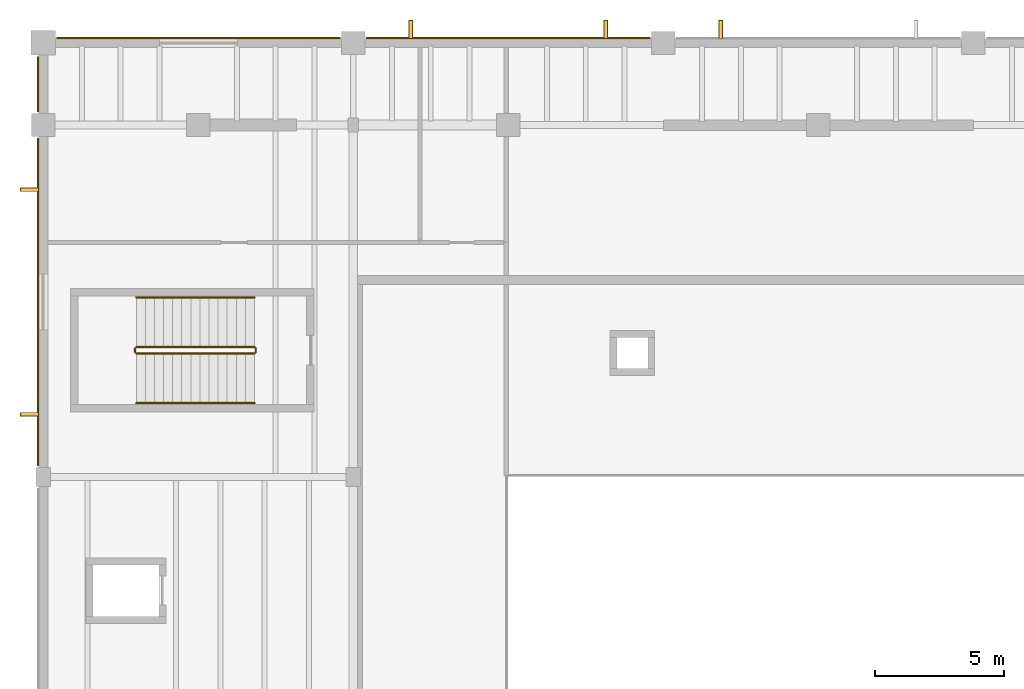
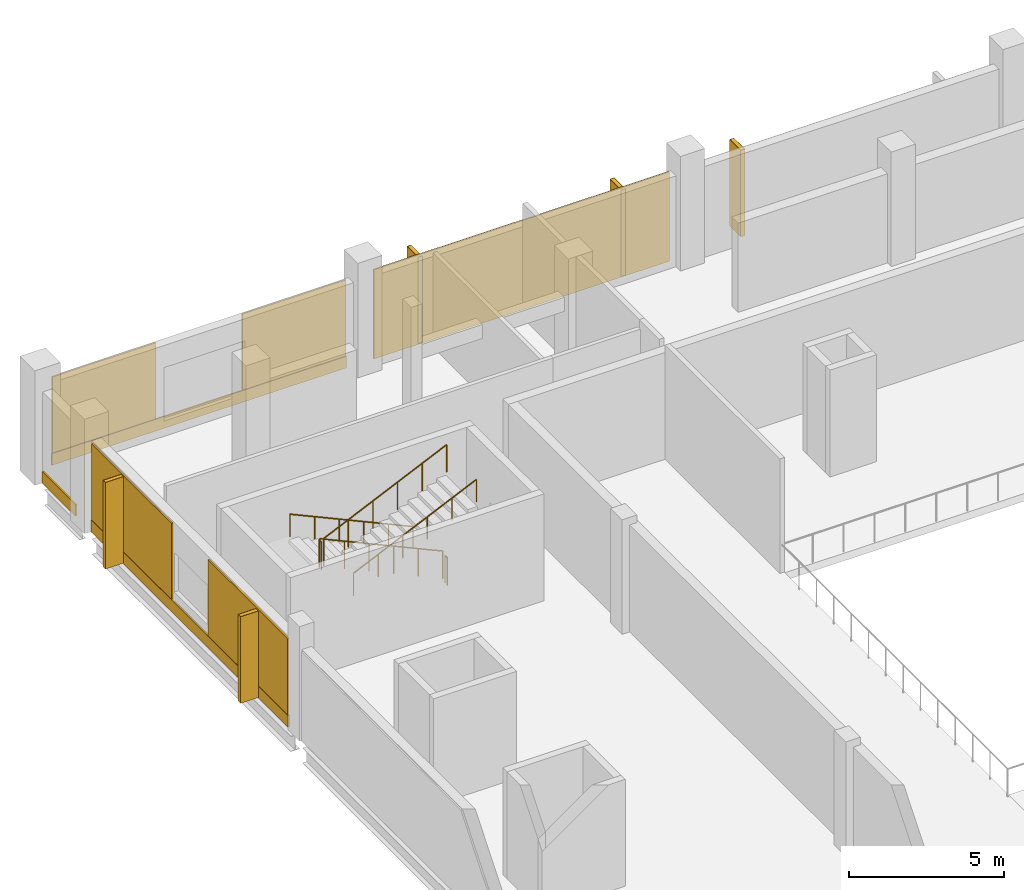
# One storey, part 71 of 78: 13 coverings, 6 railings, 5 shading devices.
"""IFC4 building model written with IfcOpenShell, lengths in metres."""

from ifc_helpers import new_model, si_unit, direction, frame, origin, origin_2d, place, context, subcontext, project, spatial, rectangle, circle, extrude, material, layer, layer_set, type_object, element, save


model = new_model("IFC4")

# Units and contexts
model_context = context("Model", 3, precision=1e-05, world=origin(), true_north=direction((0.0, 1.0)))
body_context = subcontext(model_context, "Body", "Model", "MODEL_VIEW")
ifc_project = project(units=[si_unit("LENGTHUNIT", "METRE"), si_unit("AREAUNIT", "SQUARE_METRE"), si_unit("VOLUMEUNIT", "CUBIC_METRE"), si_unit("PLANEANGLEUNIT", "RADIAN"), si_unit("MASSUNIT", "GRAM", prefix="KILO")], contexts=[model_context])

# Site, building, storey
site_placement = place(None, origin())
site = spatial("IfcSite", under=ifc_project, at=site_placement, CompositionType="ELEMENT")
building_placement = place(site_placement, origin())
building = spatial("IfcBuilding", under=site, at=building_placement, Name="Kelmvaro Bay Concert Hall", CompositionType="ELEMENT")
storey_placement = place(building_placement, frame((0.0, 0.0, 9.300048828125)))
storey = spatial("IfcBuildingStorey", under=building, at=storey_placement, Name="L02", CompositionType="ELEMENT", Elevation=9.300048828125)

# Shading devices
ifc_material_1 = material(Name="Anodised Extruded Aluminium 6063-T6", Category="aluminium")
ifc_layer_1 = layer(ifc_material_1, 3.39990234375)
ifc_layer_set_1 = layer_set([ifc_layer_1], Name="Anodised Extruded Aluminium 6063-T6")
shading_device_type = type_object("IfcShadingDeviceType", Name="Bauhaus Vertical Solar Brise-Soleil Fin 720x3400", PredefinedType="SHUTTER", material=ifc_layer_set_1)
for number, where, z_axis, x_axis, name in (
    (1, (14.22607421875, 114.52587890625, 0.06005859375), (0.0, 0.0, 1.0), (1.0, 0.0, 0.0), "L02 Solar Brise-Soleil Fin 013"),
    (2, (21.77392578125, 114.52587890625, 0.06005859375), (0.0, 0.0, 1.0), (1.0, 0.0, 0.0), "L02 Solar Brise-Soleil Fin 014"),
    (3, (26.22607421875, 114.52587890625, 0.06005859375), (0.0, 0.0, 1.0), (1.0, 0.0, 0.0), "L02 Solar Brise-Soleil Fin 015"),
    (4, (-0.535888671875, 99.622314453125, 0.06005859375), (0.0, 0.0, 1.0), (0.0, 1.0, 0.0), "L02 Solar Brise-Soleil Fin 021"),
    (5, (-0.535888671875, 108.32275390625, 0.06005859375), (0.0, 0.0, 1.0), (0.0, 1.0, 0.0), "L02 Solar Brise-Soleil Fin 022"),
):
    element("IfcShadingDevice", number, at=place(storey_placement, frame(where, z_axis=z_axis, x_axis=x_axis)), inside=storey, type_object=shading_device_type, Name=name, PredefinedType="SHUTTER", context=body_context, shape_type="SweptSolid", body=[
        extrude(rectangle(XDim=0.159912109375, YDim=0.719970703125, at=origin_2d()), origin(), (0.0, 0.0, 1.0), 3.39990234375),
    ])

# Coverings
ifc_material_2 = material(Name="PVDF-Coated Architectural Aluminium", Category="aluminium")
ifc_layer_2 = layer(ifc_material_2, 0.0400390625)
ifc_layer_set_2 = layer_set([ifc_layer_2], Name="PVDF-Coated Architectural Aluminium")
covering_type_1 = type_object("IfcCoveringType", Name="De Stijl Enamelled Aluminium Fascia Panel 40", PredefinedType="CLADDING", material=ifc_layer_set_2)
for number, where, z_axis, x_axis, name in (
    (6, (14.22607421875, 114.52587890625, 0.06005859375), (0.0, 0.0, 1.0), (1.0, 0.0, 0.0), "L02 Architectural Vertical Fin Cladding 0070"),
    (7, (21.77392578125, 114.52587890625, 0.06005859375), (0.0, 0.0, 1.0), (1.0, 0.0, 0.0), "L02 Architectural Vertical Fin Cladding 0071"),
    (8, (26.22607421875, 114.52587890625, 0.06005859375), (0.0, 0.0, 1.0), (1.0, 0.0, 0.0), "L02 Architectural Vertical Fin Cladding 0073"),
    (9, (-0.535888671875, 99.622314453125, 0.06005859375), (0.0, 0.0, 1.0), (0.0, 1.0, 0.0), "L02 Architectural Vertical Fin Cladding 0091"),
    (10, (-0.535888671875, 108.32275390625, 0.06005859375), (0.0, 0.0, 1.0), (0.0, 1.0, 0.0), "L02 Architectural Vertical Fin Cladding 0092"),
):
    element("IfcCovering", number, at=place(storey_placement, frame(where, z_axis=z_axis, x_axis=x_axis)), inside=storey, type_object=covering_type_1, Name=name, PredefinedType="CLADDING", context=body_context, shape_type="SweptSolid", body=[
        extrude(rectangle(XDim=0.139892578125, YDim=0.699951171875, at=origin_2d()), origin(), (0.0, 0.0, 1.0), 3.39990234375),
    ])
ifc_material_3 = material(Name="Honed Florida Limestone Travertine", Category="masonry")
ifc_layer_3 = layer(ifc_material_3, 0.054931640625)
ifc_layer_set_3 = layer_set([ifc_layer_3], Name="Honed Florida Limestone Travertine")
covering_type_2 = type_object("IfcCoveringType", Name="Honed Florida Travertine Rainscreen Cladding 55", PredefinedType="CLADDING", material=ifc_layer_set_3)
covering_1_placement = place(storey_placement, frame((6.012451171875, 114.195556640625, 0.0400390625), z_axis=(0.0, 0.0, 1.0), x_axis=(1.0, 0.0, 0.0)))
element("IfcCovering", 11, at=covering_1_placement, inside=storey, type_object=covering_type_2, Name="L02 Travertine Sill Band 0066", PredefinedType="CLADDING", context=body_context, shape_type="SweptSolid", body=[
    extrude(rectangle(XDim=10.955078125, YDim=0.054931640625, at=origin_2d()), origin(), (0.0, 0.0, 1.0), 0.4599609375),
])
for number, where, z_axis, x_axis, name in (
    (12, (2.48388671875, 114.195556640625, 0.52001953125), (0.0, 0.0, 1.0), (1.0, 0.0, 0.0), "L02 Travertine Pier Panel 0067"),
    (13, (9.541259765625, 114.195556640625, 0.52001953125), (0.0, 0.0, 1.0), (1.0, 0.0, 0.0), "L02 Travertine Pier Panel 0068"),
):
    element("IfcCovering", number, at=place(storey_placement, frame(where, z_axis=z_axis, x_axis=x_axis)), inside=storey, type_object=covering_type_2, Name=name, PredefinedType="CLADDING", context=body_context, shape_type="SweptSolid", body=[
        extrude(rectangle(XDim=3.85693359375, YDim=0.054931640625, at=origin_2d()), origin(), (0.0, 0.0, 1.0), 2.989013671875),
    ])
covering_2_placement = place(storey_placement, frame((18.0, 114.195556640625, 0.02978515625), z_axis=(0.0, 0.0, 1.0), x_axis=(1.0, 0.0, 0.0)))
element("IfcCovering", 14, at=covering_2_placement, inside=storey, type_object=covering_type_2, Name="L02 Travertine Cladding Panel 0069", PredefinedType="CLADDING", context=body_context, shape_type="SweptSolid", body=[
    extrude(rectangle(XDim=10.97998046875, YDim=0.054931640625, at=origin_2d()), origin(), (0.0, 0.0, 1.0), 3.509033203125),
])
covering_3_placement = place(storey_placement, frame((-0.20556640625, 103.972412109375, 0.0400390625), z_axis=(0.0, 0.0, 1.0), x_axis=(0.0, 1.0, 0.0)))
element("IfcCovering", 15, at=covering_3_placement, inside=storey, type_object=covering_type_2, Name="L02 Travertine Sill Band 0090", PredefinedType="CLADDING", context=body_context, shape_type="SweptSolid", body=[
    extrude(rectangle(XDim=12.675048828125, YDim=0.054931640625, at=origin_2d()), origin(), (0.0, 0.0, 1.0), 0.4599609375),
])
for number, where, z_axis, x_axis, name in (
    (16, (-0.20556640625, 100.226318359375, 0.52001953125), (0.0, 0.0, 1.0), (0.0, 1.0, 0.0), "L02 Travertine Pier Panel 0093"),
    (17, (-0.20556640625, 107.71875, 0.52001953125), (0.0, 0.0, 1.0), (0.0, 1.0, 0.0), "L02 Travertine Pier Panel 0094"),
):
    element("IfcCovering", number, at=place(storey_placement, frame(where, z_axis=z_axis, x_axis=x_axis)), inside=storey, type_object=covering_type_2, Name=name, PredefinedType="CLADDING", context=body_context, shape_type="SweptSolid", body=[
        extrude(rectangle(XDim=5.14306640625, YDim=0.054931640625, at=origin_2d()), origin(), (0.0, 0.0, 1.0), 2.989013671875),
    ])
covering_4_placement = place(storey_placement, frame((-0.20556640625, 112.3974609375, 0.0400390625), z_axis=(0.0, 0.0, 1.0), x_axis=(0.0, 1.0, 0.0)))
element("IfcCovering", 18, at=covering_4_placement, inside=storey, type_object=covering_type_2, Name="L02 Travertine Sill Band 0095", PredefinedType="CLADDING", context=body_context, shape_type="SweptSolid", body=[
    extrude(rectangle(XDim=2.135009765625, YDim=0.054931640625, at=origin_2d()), origin(), (0.0, 0.0, 1.0), 0.4599609375),
])

# Railings
ifc_material_4 = material(Name="Brushed Stainless Steel 316", Category="steel")
railing_type_1 = type_object("IfcRailingType", Name="Stair Stainless Wall Handrail 900", PredefinedType="HANDRAIL", material=ifc_material_4)
railing_1_placement = place(storey_placement, frame((8.179931640625, 104.14990234375, 0.16064453125)))
element("IfcRailing", 19, at=railing_1_placement, inside=storey, type_object=railing_type_1, Name="L02 ST-03 stair handrail 1", PredefinedType="HANDRAIL", context=body_context, shape_type="SweptSolid", body=[
    extrude(circle(Radius=0.02392578125, at=origin_2d()), frame((0.0, 0.0, 0.8759765625), z_axis=(-0.909662093554, 0.0, 0.415349100818), x_axis=(0.0, -1.0, 0.0)), (0.0, 0.0, 1.0), 5.0302734375),
    extrude(circle(Radius=0.02099609375, at=origin_2d()), origin(), (0.0, 0.0, 1.0), 0.851806640625),
    extrude(circle(Radius=0.02099609375, at=origin_2d()), frame((-0.915283203125, 0.0, 0.41796875)), (0.0, 0.0, 1.0), 0.851806640625),
    extrude(circle(Radius=0.02099609375, at=origin_2d()), frame((-1.830322265625, 0.0, 0.835693359375)), (0.0, 0.0, 1.0), 0.851806640625),
    extrude(circle(Radius=0.02099609375, at=origin_2d()), frame((-2.74560546875, 0.0, 1.253662109375)), (0.0, 0.0, 1.0), 0.851806640625),
    extrude(circle(Radius=0.02099609375, at=origin_2d()), frame((-3.66064453125, 0.0, 1.67138671875)), (0.0, 0.0, 1.0), 0.851806640625),
    extrude(circle(Radius=0.02099609375, at=origin_2d()), frame((-4.575927734375, 0.0, 2.08935546875)), (0.0, 0.0, 1.0), 0.851806640625),
])
railing_2_placement = place(storey_placement, frame((3.60400390625, 100.06005859375, 2.41064453125)))
element("IfcRailing", 20, at=railing_2_placement, inside=storey, type_object=railing_type_1, Name="L02 ST-03 stair handrail 2", PredefinedType="HANDRAIL", context=body_context, shape_type="SweptSolid", body=[
    extrude(circle(Radius=0.02392578125, at=origin_2d()), frame((0.0, 0.0, 0.8759765625), z_axis=(0.909662093554, 0.0, 0.415349100818), x_axis=(0.0, 1.0, 0.0)), (0.0, 0.0, 1.0), 5.0302734375),
    extrude(circle(Radius=0.02099609375, at=origin_2d()), origin(), (0.0, 0.0, 1.0), 0.851806640625),
    extrude(circle(Radius=0.02099609375, at=origin_2d()), frame((0.915283203125, 0.0, 0.41796875)), (0.0, 0.0, 1.0), 0.851806640625),
    extrude(circle(Radius=0.02099609375, at=origin_2d()), frame((1.830322265625, 0.0, 0.835693359375)), (0.0, 0.0, 1.0), 0.851806640625),
    extrude(circle(Radius=0.02099609375, at=origin_2d()), frame((2.74560546875, 0.0, 1.253662109375)), (0.0, 0.0, 1.0), 0.851806640625),
    extrude(circle(Radius=0.02099609375, at=origin_2d()), frame((3.66064453125, 0.0, 1.67138671875)), (0.0, 0.0, 1.0), 0.851806640625),
    extrude(circle(Radius=0.02099609375, at=origin_2d()), frame((4.575927734375, 0.0, 2.08935546875)), (0.0, 0.0, 1.0), 0.851806640625),
])
ifc_material_5 = material(Name="Powder-Coated Steel ASTM A500", Category="steel")
railing_type_2 = type_object("IfcRailingType", Name="Stair Well Painted Steel Guard 1100", PredefinedType="BALUSTRADE", material=ifc_material_5)
railing_3_placement = place(storey_placement, frame((8.179931640625, 102.22998046875, 0.16064453125)))
element("IfcRailing", 21, at=railing_3_placement, inside=storey, type_object=railing_type_2, Name="L02 ST-03 stair guard 1", PredefinedType="BALUSTRADE", context=body_context, shape_type="SweptSolid", body=[
    extrude(circle(Radius=0.02392578125, at=origin_2d()), frame((0.0, 0.0, 1.076171875), z_axis=(-0.909662093554, 0.0, 0.415349100818), x_axis=(0.0, -1.0, 0.0)), (0.0, 0.0, 1.0), 5.0302734375),
    extrude(circle(Radius=0.02099609375, at=origin_2d()), origin(), (0.0, 0.0, 1.0), 1.052001953125),
    extrude(circle(Radius=0.02099609375, at=origin_2d()), frame((-0.915283203125, 0.0, 0.41796875)), (0.0, 0.0, 1.0), 1.052001953125),
    extrude(circle(Radius=0.02099609375, at=origin_2d()), frame((-1.830322265625, 0.0, 0.835693359375)), (0.0, 0.0, 1.0), 1.052001953125),
    extrude(circle(Radius=0.02099609375, at=origin_2d()), frame((-2.74560546875, 0.0, 1.253662109375)), (0.0, 0.0, 1.0), 1.052001953125),
    extrude(circle(Radius=0.02099609375, at=origin_2d()), frame((-3.66064453125, 0.0, 1.67138671875)), (0.0, 0.0, 1.0), 1.052001953125),
    extrude(circle(Radius=0.02099609375, at=origin_2d()), frame((-4.575927734375, 0.0, 2.08935546875)), (0.0, 0.0, 1.0), 1.052001953125),
])
railing_4_placement = place(storey_placement, frame((3.553955078125, 102.179931640625, 2.25)))
element("IfcRailing", 22, at=railing_4_placement, inside=storey, type_object=railing_type_2, Name="L02 ST-03 stair guard 2", PredefinedType="BALUSTRADE", context=body_context, shape_type="SweptSolid", body=[
    extrude(circle(Radius=0.02392578125, at=origin_2d()), frame((0.0, 0.0, 1.076171875), z_axis=(0.0, -1.0, 0.0), x_axis=(1.0, 0.0, 0.0)), (0.0, 0.0, 1.0), 0.14990234375),
    extrude(circle(Radius=0.02099609375, at=origin_2d()), origin(), (0.0, 0.0, 1.0), 1.052001953125),
    extrude(circle(Radius=0.02099609375, at=origin_2d()), frame((0.0, -0.14990234375, 0.0)), (0.0, 0.0, 1.0), 1.052001953125),
])
railing_5_placement = place(storey_placement, frame((3.60400390625, 101.97998046875, 2.41064453125)))
element("IfcRailing", 23, at=railing_5_placement, inside=storey, type_object=railing_type_2, Name="L02 ST-03 stair guard 3", PredefinedType="BALUSTRADE", context=body_context, shape_type="SweptSolid", body=[
    extrude(circle(Radius=0.02392578125, at=origin_2d()), frame((0.0, 0.0, 1.076171875), z_axis=(0.909662093554, 0.0, 0.415349100818), x_axis=(0.0, 1.0, 0.0)), (0.0, 0.0, 1.0), 5.0302734375),
    extrude(circle(Radius=0.02099609375, at=origin_2d()), origin(), (0.0, 0.0, 1.0), 1.052001953125),
    extrude(circle(Radius=0.02099609375, at=origin_2d()), frame((0.915283203125, 0.0, 0.41796875)), (0.0, 0.0, 1.0), 1.052001953125),
    extrude(circle(Radius=0.02099609375, at=origin_2d()), frame((1.830322265625, 0.0, 0.835693359375)), (0.0, 0.0, 1.0), 1.052001953125),
    extrude(circle(Radius=0.02099609375, at=origin_2d()), frame((2.74560546875, 0.0, 1.253662109375)), (0.0, 0.0, 1.0), 1.052001953125),
    extrude(circle(Radius=0.02099609375, at=origin_2d()), frame((3.66064453125, 0.0, 1.67138671875)), (0.0, 0.0, 1.0), 1.052001953125),
    extrude(circle(Radius=0.02099609375, at=origin_2d()), frame((4.575927734375, 0.0, 2.08935546875)), (0.0, 0.0, 1.0), 1.052001953125),
])
railing_6_placement = place(storey_placement, frame((8.22998046875, 102.179931640625, 0.0)))
element("IfcRailing", 24, at=railing_6_placement, inside=storey, type_object=railing_type_2, Name="L02 ST-03 stair guard 4", PredefinedType="BALUSTRADE", context=body_context, shape_type="SweptSolid", body=[
    extrude(circle(Radius=0.02392578125, at=origin_2d()), frame((0.0, 0.0, 1.076171875), z_axis=(0.0, -1.0, 0.0), x_axis=(1.0, 0.0, 0.0)), (0.0, 0.0, 1.0), 0.14990234375),
    extrude(circle(Radius=0.02099609375, at=origin_2d()), origin(), (0.0, 0.0, 1.0), 1.052001953125),
    extrude(circle(Radius=0.02099609375, at=origin_2d()), frame((0.0, -0.14990234375, 0.0)), (0.0, 0.0, 1.0), 1.052001953125),
])

save(model, "model.ifc")
